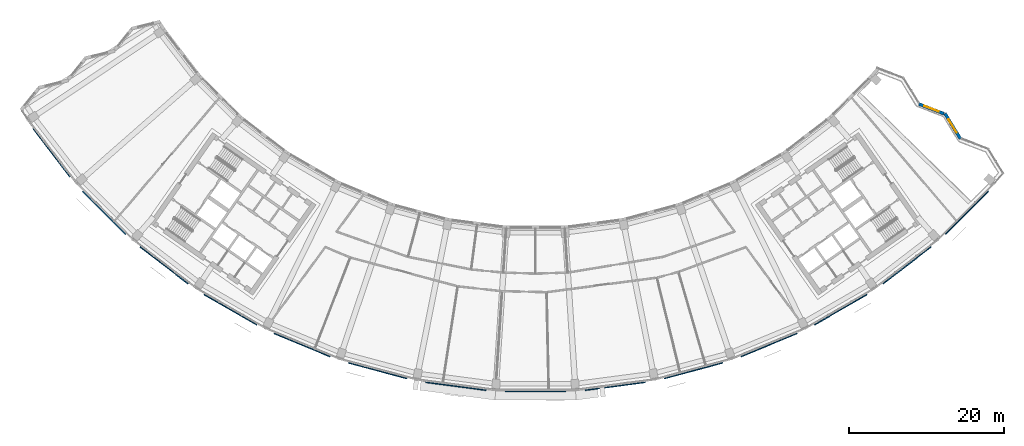
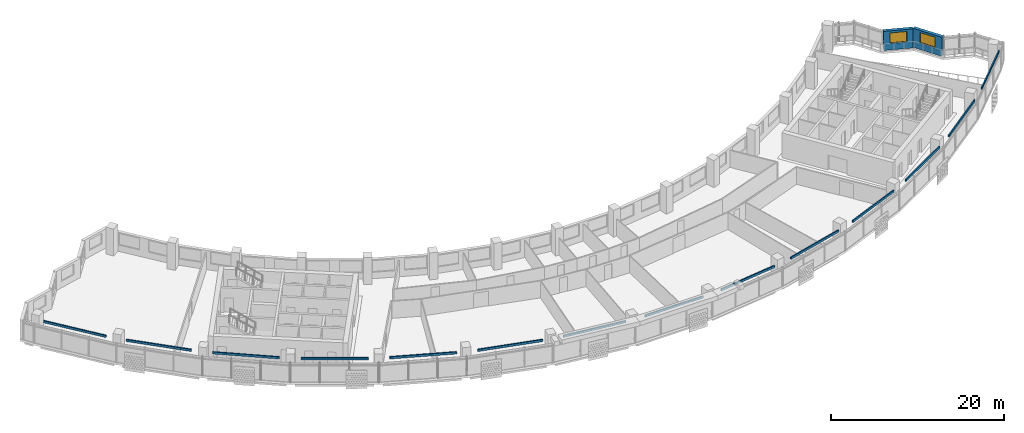
# One storey, part 8 of 29: 14 discrete accessories, 2 walls, 2 windows, 2 openings.
"""IFC4 building model written with IfcOpenShell, lengths in metres."""

from ifc_helpers import new_model, si_unit, direction, frame, frame_2d, origin, origin_2d, place, context, subcontext, project, spatial, rectangle, extrude, material, layer, layer_set, type_object, element, fill, save


model = new_model("IFC4")

# Units and contexts
model_context = context("Model", 3, precision=1e-05, world=origin(), true_north=direction((0.0, 1.0)))
body_context = subcontext(model_context, "Body", "Model", "MODEL_VIEW")
ifc_project = project(units=[si_unit("LENGTHUNIT", "METRE"), si_unit("AREAUNIT", "SQUARE_METRE"), si_unit("VOLUMEUNIT", "CUBIC_METRE"), si_unit("PLANEANGLEUNIT", "RADIAN"), si_unit("MASSUNIT", "GRAM", prefix="KILO")], contexts=[model_context])

# Site, building, storey
site_placement = place(None, origin())
site = spatial("IfcSite", under=ifc_project, at=site_placement, CompositionType="ELEMENT")
building_placement = place(site_placement, origin())
building = spatial("IfcBuilding", under=site, at=building_placement, Name="Qamariyya Broadcast Tower", CompositionType="ELEMENT")
storey_placement = place(building_placement, frame((0.0, 0.0, 207.5)))
storey = spatial("IfcBuildingStorey", under=building, at=storey_placement, Name="L49", CompositionType="ELEMENT", Elevation=207.5)

# Wall, opening, window
ifc_material_1 = material(Name="Terracotta", Category="masonry")
ifc_layer = layer(ifc_material_1, 0.39990234375)
ifc_layer_set = layer_set([ifc_layer], Name="Terracotta clad wall 400")
wall_type = type_object("IfcWallType", Name="Terracotta clad wall 400", PredefinedType="SOLIDWALL", material=ifc_layer_set)
wall_1_placement = place(storey_placement, frame((54.701171875, -46.022705078125, 0.0), z_axis=(0.0, 0.0, 1.0), x_axis=(-0.521818035235, 0.853056819974, 0.0)))
wall_1 = element("IfcWall", 1, at=wall_1_placement, inside=storey, type_object=wall_type, Name="e-wl-L49-capE2", PredefinedType="SOLIDWALL", context=body_context, shape_type="SweptSolid", body=[
    extrude(rectangle(XDim=3.809814453125, YDim=0.39990234375, at=frame_2d((1.90478515625, 0.0))), origin(), (0.0, 0.0, 1.0), 2.699951171875),
])
opening_1_placement = place(wall_1_placement, frame((0.90478515625, 0.0, 0.89990234375)))
opening_1 = element("IfcOpeningElement", 2, at=opening_1_placement, cuts=wall_1, Name="Opening W4", PredefinedType="OPENING", context=body_context, shape_type="SweptSolid", body=[
    extrude(rectangle(XDim=2.0, YDim=1.5, at=frame_2d((1.0, 0.75))), frame((0.0, 0.2099609375, 0.0), z_axis=(0.0, -1.0, 0.0), x_axis=(1.0, 0.0, 0.0)), (0.0, 0.0, 1.0), 0.419921875),
])
ifc_material_2 = material(Name="Clear low-e double glazed unit in aluminium frame", Category="aluminium")
window_type = type_object("IfcWindowType", Name="Horn bay window 2000 x 1500", PartitioningType="SINGLE_PANEL", PredefinedType="WINDOW", material=ifc_material_2)
window_1_placement = place(opening_1_placement, origin())
window_1 = element("IfcWindow", 3, at=window_1_placement, inside=storey, type_object=window_type, Name="e-w-L49-capE2", OverallHeight=1.5, OverallWidth=2.0, PartitioningType="SINGLE_PANEL", PredefinedType="WINDOW", context=body_context, shape_type="SweptSolid", body=[
    extrude(rectangle(XDim=2.0, YDim=1.5, at=frame_2d((1.0, 0.75))), frame((0.0, 0.030029296875, 0.0), z_axis=(0.0, -1.0, 0.0), x_axis=(1.0, 0.0, 0.0)), (0.0, 0.0, 1.0), 0.06005859375),
])
fill(opening_1, window_1)

wall_2_placement = place(storey_placement, frame((52.573974609375, -42.796875, 0.0), z_axis=(0.0, 0.0, 1.0), x_axis=(-0.932345258046, 0.361569246201, 0.0)))
wall_2 = element("IfcWall", 4, at=wall_2_placement, inside=storey, type_object=wall_type, Name="e-wl-L49-capE3", PredefinedType="SOLIDWALL", context=body_context, shape_type="SweptSolid", body=[
    extrude(rectangle(XDim=3.453125, YDim=0.39990234375, at=frame_2d((1.7265625, 0.0))), origin(), (0.0, 0.0, 1.0), 2.699951171875),
])
opening_2_placement = place(wall_2_placement, frame((0.7265625, 0.0, 0.89990234375)))
opening_2 = element("IfcOpeningElement", 5, at=opening_2_placement, cuts=wall_2, Name="Opening W4", PredefinedType="OPENING", context=body_context, shape_type="SweptSolid", body=[
    extrude(rectangle(XDim=2.0, YDim=1.5, at=frame_2d((1.0, 0.75))), frame((0.0, 0.2099609375, 0.0), z_axis=(0.0, -1.0, 0.0), x_axis=(1.0, 0.0, 0.0)), (0.0, 0.0, 1.0), 0.419921875),
])
window_2_placement = place(opening_2_placement, origin())
window_2 = element("IfcWindow", 6, at=window_2_placement, inside=storey, type_object=window_type, Name="e-w-L49-capE3", OverallHeight=1.5, OverallWidth=2.0, PartitioningType="SINGLE_PANEL", PredefinedType="WINDOW", context=body_context, shape_type="SweptSolid", body=[
    extrude(rectangle(XDim=2.0, YDim=1.5, at=frame_2d((1.0, 0.75))), frame((0.0, 0.030029296875, 0.0), z_axis=(0.0, -1.0, 0.0), x_axis=(1.0, 0.0, 0.0)), (0.0, 0.0, 1.0), 0.06005859375),
])
fill(opening_2, window_2)

# Discrete accessories
ifc_material_3 = material(Name="Stainless steel 316", Category="steel")
discrete_accessory_type = type_object("IfcDiscreteAccessoryType", Name="Slab edge fixing angle, stainless steel", PredefinedType="BRACKET", material=ifc_material_3)
for number, where, z_axis, x_axis, name in (
    (7, (-62.3232421875, -47.822265625, 3.2998046875), (0.0, 0.0, 1.0), (0.608761429009, -0.793353340291, 0.0), "e-br-L49-01-0"),
    (8, (-55.5478515625, -55.5478515625, 3.2998046875), (0.0, 0.0, 1.0), (0.707106781187, -0.707106781187, 0.0), "e-br-L49-02-0"),
    (9, (-47.822265625, -62.3232421875, 3.2998046875), (0.0, 0.0, 1.0), (0.793353340291, -0.608761429009, 0.0), "e-br-L49-03-0"),
    (10, (-39.2783203125, -68.031982421875, 3.2998046875), (0.0, 0.0, 1.0), (0.866025403784, -0.5, 0.0), "e-br-L49-04-0"),
    (11, (-30.062255859375, -72.576904296875, 3.2998046875), (0.0, 0.0, 1.0), (0.923879532511, -0.382683432365, 0.0), "e-br-L49-05-0"),
    (12, (-20.33203125, -75.8798828125, 3.2998046875), (0.0, 0.0, 1.0), (0.965925826289, -0.258819045103, 0.0), "e-br-L49-06-0"),
    (13, (-10.253662109375, -77.884521484375, 3.2998046875), (0.0, 0.0, 1.0), (0.991444861374, -0.13052619222, 0.0), "e-br-L49-07-0"),
    (14, (0.0, -78.556640625, 3.2998046875), (0.0, 0.0, 1.0), (1.0, 0.0, 0.0), "e-br-L49-08-0"),
    (15, (10.253662109375, -77.884521484375, 3.2998046875), (0.0, 0.0, 1.0), (0.991444861374, 0.13052619222, 0.0), "e-br-L49-09-0"),
    (16, (20.33203125, -75.8798828125, 3.2998046875), (0.0, 0.0, 1.0), (0.965925826289, 0.258819045103, 0.0), "e-br-L49-10-0"),
    (17, (30.062255859375, -72.576904296875, 3.2998046875), (0.0, 0.0, 1.0), (0.923879532511, 0.382683432365, 0.0), "e-br-L49-11-0"),
    (18, (39.2783203125, -68.031982421875, 3.2998046875), (0.0, 0.0, 1.0), (0.866025403784, 0.5, 0.0), "e-br-L49-12-0"),
    (19, (47.822265625, -62.3232421875, 3.2998046875), (0.0, 0.0, 1.0), (0.793353340291, 0.608761429009, 0.0), "e-br-L49-13-0"),
    (20, (55.5478515625, -55.5478515625, 3.2998046875), (0.0, 0.0, 1.0), (0.707106781187, 0.707106781187, 0.0), "e-br-L49-14-0"),
):
    element("IfcDiscreteAccessory", number, at=place(storey_placement, frame(where, z_axis=z_axis, x_axis=x_axis)), inside=storey, type_object=discrete_accessory_type, Name=name, PredefinedType="BRACKET", context=body_context, shape_type="SweptSolid", body=[
        extrude(rectangle(XDim=7.81591796875, YDim=0.14990234375, at=origin_2d()), origin(), (0.0, 0.0, 1.0), 0.300048828125),
    ])

save(model, "model.ifc")
